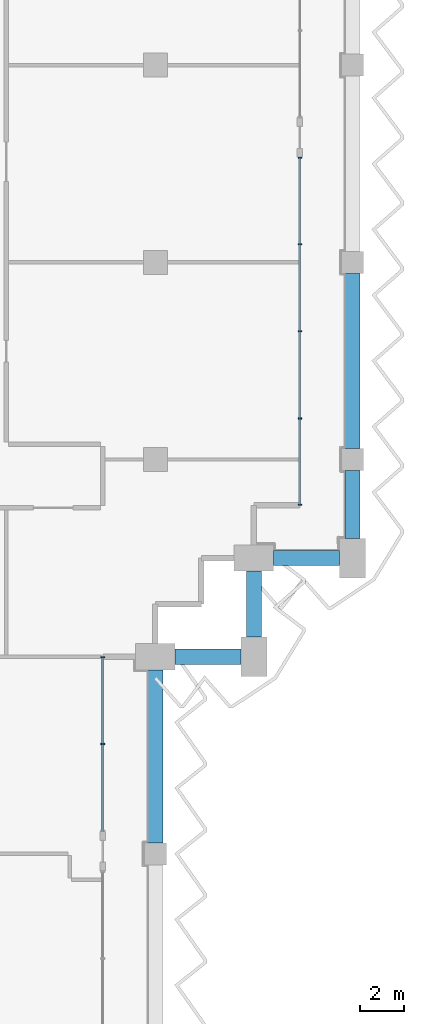
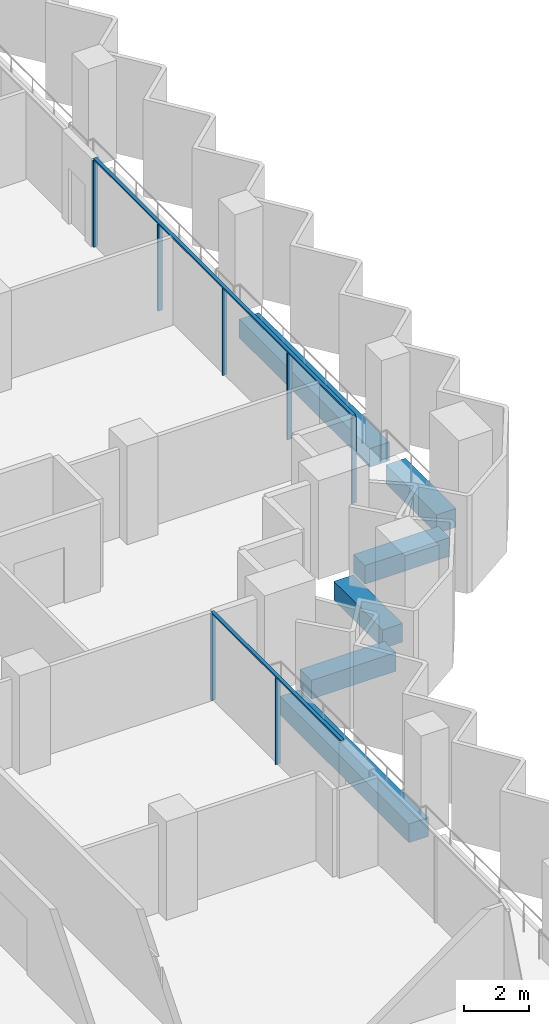
# One storey, part 4 of 17: 9 members, 6 beams, 2 elements without a shape of their own.
"""IFC4 building model written with IfcOpenShell, lengths in metres."""

from ifc_helpers import new_model, si_unit, direction, frame, origin, origin_2d, place, context, subcontext, project, spatial, rectangle, extrude, material, material_profile, profile_set, type_object, element, aggregate, save


model = new_model("IFC4")

# Units and contexts
model_context = context("Model", 3, precision=1e-05, world=origin(), true_north=direction((0.0, 1.0)))
body_context = subcontext(model_context, "Body", "Model", "MODEL_VIEW")
ifc_project = project(units=[si_unit("LENGTHUNIT", "METRE"), si_unit("AREAUNIT", "SQUARE_METRE"), si_unit("VOLUMEUNIT", "CUBIC_METRE"), si_unit("PLANEANGLEUNIT", "RADIAN"), si_unit("MASSUNIT", "GRAM", prefix="KILO")], contexts=[model_context])

# Site, building, storey
site_placement = place(None, origin())
site = spatial("IfcSite", under=ifc_project, at=site_placement, CompositionType="ELEMENT")
building_placement = place(site_placement, origin())
building = spatial("IfcBuilding", under=site, at=building_placement, Name="Hunhe Ridgeline Campus", CompositionType="ELEMENT")
storey_placement = place(building_placement, frame((0.0, 0.0, 208.699951171875)))
storey = spatial("IfcBuildingStorey", under=building, at=storey_placement, Name="L53", CompositionType="ELEMENT", Elevation=208.699951171875)

# Curtain wall, members
ifc_material_1 = material(Name="Aluminium 6063", Category="aluminium")
curtain_wall_type = type_object("IfcCurtainWallType", Name="Curtain wall CW-1", PredefinedType="NOTDEFINED", material=ifc_material_1)
curtain_wall_1_placement = place(storey_placement, origin())
curtain_wall_1 = element("IfcCurtainWall", 1, at=curtain_wall_1_placement, inside=storey, type_object=curtain_wall_type, Name="Curtain wall 12", PredefinedType="NOTDEFINED")
ifc_material_profile_1 = material_profile(ifc_material_1, rectangle(XDim=0.159912109375, YDim=0.06005859375, at=origin_2d()))
ifc_profile_set_1 = profile_set([ifc_material_profile_1], Name="Aluminium 6063")
member_type_1 = type_object("IfcMemberType", Name="CW-1 aluminium mullion", PredefinedType="MULLION", material=ifc_profile_set_1)
member_1_placement = place(storey_placement, frame((42.59912109375, 50.009521484375, 0.0), z_axis=(0.0, 0.0, 1.0), x_axis=(-0.999999999978, 6.639948e-06, 0.0)))
member_1 = element("IfcMember", 2, at=member_1_placement, type_object=member_type_1, Name="CW-1 mullion 2", PredefinedType="MULLION", context=body_context, shape_type="SweptSolid", body=[
    extrude(rectangle(XDim=0.159912109375, YDim=0.06005859375, at=origin_2d()), origin(), (0.0, 0.0, 1.0), 3.239990234375),
])
member_2_placement = place(storey_placement, frame((42.59912109375, 53.970458984375, 0.0), z_axis=(0.0, 0.0, 1.0), x_axis=(-0.999999999978, 6.639948e-06, 0.0)))
member_2 = element("IfcMember", 3, at=member_2_placement, type_object=member_type_1, Name="CW-1 mullion 3", PredefinedType="MULLION", context=body_context, shape_type="SweptSolid", body=[
    extrude(rectangle(XDim=0.159912109375, YDim=0.06005859375, at=origin_2d()), origin(), (0.0, 0.0, 1.0), 3.239990234375),
])

curtain_wall_2_placement = place(storey_placement, origin())
curtain_wall_2 = element("IfcCurtainWall", 4, at=curtain_wall_2_placement, inside=storey, type_object=curtain_wall_type, Name="Curtain wall 13", PredefinedType="NOTDEFINED")
member_3_placement = place(storey_placement, frame((51.59912109375, 60.930908203125, 0.0), z_axis=(0.0, 0.0, 1.0), x_axis=(-1.0, 0.0, 0.0)))
member_3 = element("IfcMember", 5, at=member_3_placement, type_object=member_type_1, Name="CW-1 mullion 1", PredefinedType="MULLION", context=body_context, shape_type="SweptSolid", body=[
    extrude(rectangle(XDim=0.159912109375, YDim=0.06005859375, at=origin_2d()), origin(), (0.0, 0.0, 1.0), 3.239990234375),
])
member_4_placement = place(storey_placement, frame((51.59912109375, 64.8759765625, 0.0), z_axis=(0.0, 0.0, 1.0), x_axis=(-1.0, 0.0, 0.0)))
member_4 = element("IfcMember", 6, at=member_4_placement, type_object=member_type_1, Name="CW-1 mullion 2", PredefinedType="MULLION", context=body_context, shape_type="SweptSolid", body=[
    extrude(rectangle(XDim=0.159912109375, YDim=0.06005859375, at=origin_2d()), origin(), (0.0, 0.0, 1.0), 3.239990234375),
])
member_5_placement = place(storey_placement, frame((51.59912109375, 68.850830078125, 0.0), z_axis=(0.0, 0.0, 1.0), x_axis=(-1.0, 0.0, 0.0)))
member_5 = element("IfcMember", 7, at=member_5_placement, type_object=member_type_1, Name="CW-1 mullion 3", PredefinedType="MULLION", context=body_context, shape_type="SweptSolid", body=[
    extrude(rectangle(XDim=0.159912109375, YDim=0.06005859375, at=origin_2d()), origin(), (0.0, 0.0, 1.0), 3.239990234375),
])
member_6_placement = place(storey_placement, frame((51.59912109375, 72.82568359375, 0.0), z_axis=(0.0, 0.0, 1.0), x_axis=(-1.0, 0.0, 0.0)))
member_6 = element("IfcMember", 8, at=member_6_placement, type_object=member_type_1, Name="CW-1 mullion 4", PredefinedType="MULLION", context=body_context, shape_type="SweptSolid", body=[
    extrude(rectangle(XDim=0.159912109375, YDim=0.06005859375, at=origin_2d()), origin(), (0.0, 0.0, 1.0), 3.239990234375),
])
member_7_placement = place(storey_placement, frame((51.59912109375, 76.7705078125, 0.0), z_axis=(0.0, 0.0, 1.0), x_axis=(-1.0, 0.0, 0.0)))
member_7 = element("IfcMember", 9, at=member_7_placement, type_object=member_type_1, Name="CW-1 mullion 5", PredefinedType="MULLION", context=body_context, shape_type="SweptSolid", body=[
    extrude(rectangle(XDim=0.159912109375, YDim=0.06005859375, at=origin_2d()), origin(), (0.0, 0.0, 1.0), 3.239990234375),
])

# Member
ifc_material_profile_2 = material_profile(ifc_material_1, rectangle(XDim=0.1201171875, YDim=0.06005859375, at=origin_2d()))
ifc_profile_set_2 = profile_set([ifc_material_profile_2], Name="Aluminium 6063")
member_type_2 = type_object("IfcMemberType", Name="CW-1 aluminium transom", PredefinedType="USERDEFINED", material=ifc_profile_set_2)
member_8_placement = place(storey_placement, frame((42.59912109375, 46.0185546875, 3.27001953125), z_axis=(0.0, 1.0, 0.0), x_axis=(-1.0, 0.0, 0.0)))
member_8 = element("IfcMember", 10, at=member_8_placement, type_object=member_type_2, Name="CW-1 transom 1", ObjectType="TRANSOM", PredefinedType="USERDEFINED", context=body_context, shape_type="SweptSolid", body=[
    extrude(rectangle(XDim=0.1201171875, YDim=0.06005859375, at=origin_2d()), origin(), (0.0, 0.0, 1.0), 7.98193359375),
])

aggregate(curtain_wall_1, [member_8, member_1, member_2])

member_9_placement = place(storey_placement, frame((51.59912109375, 60.90087890625, 3.27001953125), z_axis=(0.0, 1.0, 0.0), x_axis=(-1.0, 0.0, 0.0)))
member_9 = element("IfcMember", 11, at=member_9_placement, type_object=member_type_2, Name="CW-1 transom 1", ObjectType="TRANSOM", PredefinedType="USERDEFINED", context=body_context, shape_type="SweptSolid", body=[
    extrude(rectangle(XDim=0.1201171875, YDim=0.06005859375, at=origin_2d()), origin(), (0.0, 0.0, 1.0), 15.899658203125),
])

aggregate(curtain_wall_2, [member_9, member_3, member_4, member_5, member_6, member_7])

# Beams
ifc_material_2 = material(Name="Concrete C50", Category="concrete")
ifc_material_profile_3 = material_profile(ifc_material_2, rectangle(XDim=0.699951171875, YDim=0.699951171875, at=origin_2d()))
ifc_profile_set_3 = profile_set([ifc_material_profile_3], Name="Concrete C50")
beam_type = type_object("IfcBeamType", Name="RC spandrel beam 700x700 Concrete C50", PredefinedType="SPANDREL", material=ifc_profile_set_3)
beam_1_placement = place(storey_placement, frame((45.0, 45.5, -0.599853515625), z_axis=(0.0, 1.0, 0.0), x_axis=(-1.0, 0.0, 0.0)))
element("IfcBeam", 12, at=beam_1_placement, inside=storey, type_object=beam_type, Name="Spandrel beam B3-10 L53", PredefinedType="SPANDREL", context=body_context, shape_type="SweptSolid", body=[
    extrude(rectangle(XDim=0.699951171875, YDim=0.699951171875, at=origin_2d()), origin(), (0.0, 0.0, 1.0), 7.89990234375),
])
for number, where, z_axis, x_axis, name in (
    (13, (45.89990234375, 54.0, -0.599853515625), (1.0, 0.0, 0.0), (0.0, 1.0, 0.0), "Spandrel beam B3-11 L53"),
    (14, (49.5, 54.89990234375, -0.599853515625), (0.0, 1.0, 0.0), (-1.0, 0.0, 0.0), "Spandrel beam B3-12 L53"),
    (15, (50.39990234375, 58.5, -0.599853515625), (1.0, 0.0, 0.0), (0.0, 1.0, 0.0), "Spandrel beam B3-13 L53"),
):
    element("IfcBeam", number, at=place(storey_placement, frame(where, z_axis=z_axis, x_axis=x_axis)), inside=storey, type_object=beam_type, Name=name, PredefinedType="SPANDREL", context=body_context, shape_type="SweptSolid", body=[
        extrude(rectangle(XDim=0.699951171875, YDim=0.699951171875, at=origin_2d()), origin(), (0.0, 0.0, 1.0), 3.0),
    ])
beam_2_placement = place(storey_placement, frame((54.0, 59.39990234375, -0.599853515625), z_axis=(0.0, 1.0, 0.0), x_axis=(-1.0, 0.0, 0.0)))
element("IfcBeam", 16, at=beam_2_placement, inside=storey, type_object=beam_type, Name="Spandrel beam B3-14 L53", PredefinedType="SPANDREL", context=body_context, shape_type="SweptSolid", body=[
    extrude(rectangle(XDim=0.699951171875, YDim=0.699951171875, at=origin_2d()), origin(), (0.0, 0.0, 1.0), 3.10009765625),
])
beam_3_placement = place(storey_placement, frame((54.0, 63.5, -0.599853515625), z_axis=(0.0, 1.0, 0.0), x_axis=(-1.0, 0.0, 0.0)))
element("IfcBeam", 17, at=beam_3_placement, inside=storey, type_object=beam_type, Name="Spandrel beam B3-15 L53", PredefinedType="SPANDREL", context=body_context, shape_type="SweptSolid", body=[
    extrude(rectangle(XDim=0.699951171875, YDim=0.699951171875, at=origin_2d()), origin(), (0.0, 0.0, 1.0), 8.0),
])

save(model, "model.ifc")
